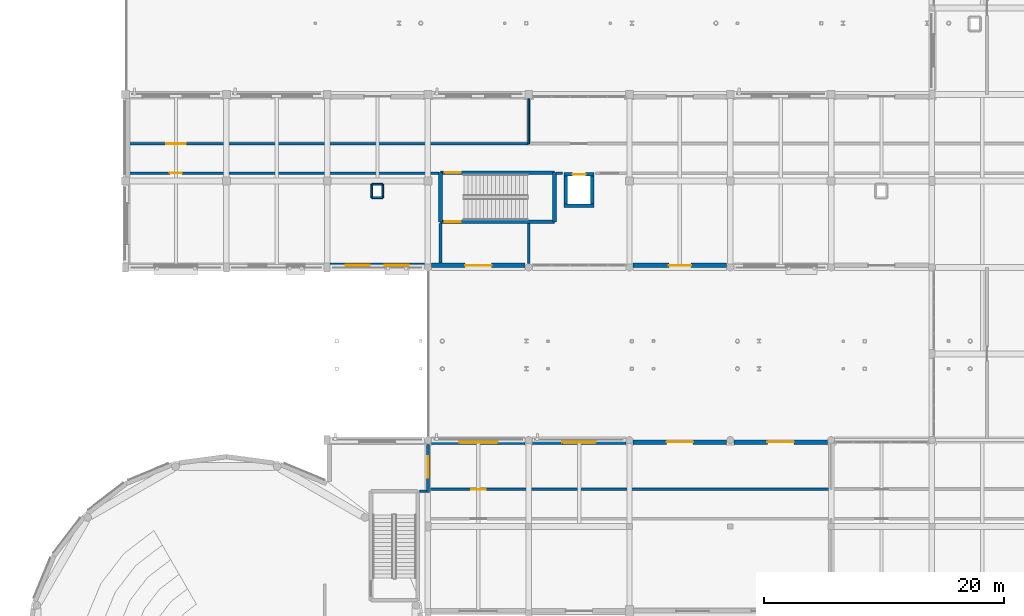
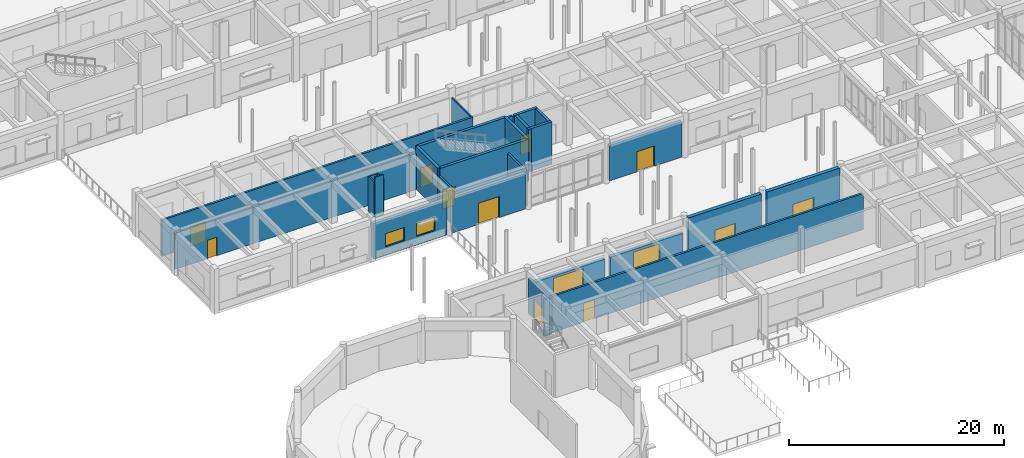
# One storey, part 73 of 121: 28 walls, 11 doors, 4 windows, 15 openings.
"""IFC4 building model written with IfcOpenShell, lengths in metres."""

from ifc_helpers import new_model, si_unit, direction, frame, frame_2d, origin, place, context, subcontext, project, spatial, rectangle, extrude, material, layer, layer_set, type_object, element, fill, save


model = new_model("IFC4")

# Units and contexts
model_context = context("Model", 3, precision=1e-05, world=origin(), true_north=direction((0.0, 1.0)))
body_context = subcontext(model_context, "Body", "Model", "MODEL_VIEW")
ifc_project = project(units=[si_unit("LENGTHUNIT", "METRE"), si_unit("AREAUNIT", "SQUARE_METRE"), si_unit("VOLUMEUNIT", "CUBIC_METRE"), si_unit("PLANEANGLEUNIT", "RADIAN"), si_unit("MASSUNIT", "GRAM", prefix="KILO")], contexts=[model_context])

# Site, building, storey
site_placement = place(None, origin())
site = spatial("IfcSite", under=ifc_project, at=site_placement, CompositionType="ELEMENT")
building_placement = place(site_placement, origin())
building = spatial("IfcBuilding", under=site, at=building_placement, Name="Malvenik Polytechnic", CompositionType="ELEMENT")
storey_placement = place(building_placement, origin())
storey = spatial("IfcBuildingStorey", under=building, at=storey_placement, Name="L00", CompositionType="ELEMENT", Elevation=0.0)

# Wall
ifc_material_1 = material(Name="Concrete C35/45", Category="concrete")
ifc_layer_1 = layer(ifc_material_1, 0.280029296875)
ifc_layer_set_1 = layer_set([ifc_layer_1], Name="Concrete C35/45")
wall_type_1 = type_object("IfcWallType", Name="ARC-CW-S280", PredefinedType="SHEAR", material=ifc_layer_set_1)
wall_1_placement = place(storey_placement, frame((47.43994140625, 55.550048828125, 0.0), z_axis=(0.0, 0.0, 1.0), x_axis=(-1.0, 0.0, 0.0)))
element("IfcWall", 1, at=wall_1_placement, inside=storey, type_object=wall_type_1, Name="Lift Shaft Shear Wall LP-03 L00 -Y", PredefinedType="SHEAR", context=body_context, shape_type="SweptSolid", body=[
    extrude(rectangle(XDim=2.47998046875, YDim=0.280029296875, at=frame_2d((1.239990234375, 0.0))), origin(), (0.0, 0.0, 1.0), 4.820068359375),
])

# Wall, opening, door
wall_2_placement = place(storey_placement, frame((44.9599609375, 58.14990234375, 0.0), z_axis=(0.0, 0.0, 1.0), x_axis=(1.0, 0.0, 0.0)))
wall_2 = element("IfcWall", 2, at=wall_2_placement, inside=storey, type_object=wall_type_1, Name="Lift Shaft Shear Wall LP-03 L00 +Y", PredefinedType="SHEAR", context=body_context, shape_type="SweptSolid", body=[
    extrude(rectangle(XDim=2.47998046875, YDim=0.280029296875, at=frame_2d((1.239990234375, 0.0))), origin(), (0.0, 0.0, 1.0), 4.820068359375),
])
opening_1_placement = place(wall_2_placement, frame((0.68994140625, 0.0, 0.0)))
opening_1 = element("IfcOpeningElement", 3, at=opening_1_placement, cuts=wall_2, Name="Opening LD-01", PredefinedType="OPENING", context=body_context, shape_type="SweptSolid", body=[
    extrude(rectangle(XDim=1.10009765625, YDim=2.14990234375, at=frame_2d((0.550048828125, 1.074951171875))), frame((0.0, 0.14990234375, 0.0), z_axis=(0.0, -1.0, 0.0), x_axis=(1.0, 0.0, 0.0)), (0.0, 0.0, 1.0), 0.300048828125),
])
ifc_material_2 = material(Name="Stainless steel fire-rated sliding lift landing door", Category="steel")
door_type_1 = type_object("IfcDoorType", Name="ARC-LDR-LD-01", OperationType="NOTDEFINED", PredefinedType="DOOR", material=ifc_material_2)
door_1_placement = place(opening_1_placement, origin())
door_1 = element("IfcDoor", 4, at=door_1_placement, inside=storey, type_object=door_type_1, Name="Lift Sliding Landing Door LP-03 L00", OperationType="DOUBLE_DOOR_SLIDING", OverallHeight=2.14990234375, OverallWidth=1.10009765625, PredefinedType="DOOR", context=body_context, shape_type="SweptSolid", body=[
    extrude(rectangle(XDim=1.10009765625, YDim=2.14990234375, at=frame_2d((0.550048828125, 1.074951171875))), frame((0.0, 0.02490234375, 0.0), z_axis=(0.0, -1.0, 0.0), x_axis=(1.0, 0.0, 0.0)), (0.0, 0.0, 1.0), 0.050048828125),
])
fill(opening_1, door_1)

# Walls
for number, where, z_axis, x_axis, name in (
    (5, (45.10009765625, 55.409912109375, 0.0), (0.0, 0.0, 1.0), (0.0, 1.0, 0.0), "Lift Shaft Shear Wall LP-03 L00 -X"),
    (6, (47.300048828125, 58.2900390625, 0.0), (0.0, 0.0, 1.0), (0.0, -1.0, 0.0), "Lift Shaft Shear Wall LP-03 L00 +X"),
):
    element("IfcWall", number, at=place(storey_placement, frame(where, z_axis=z_axis, x_axis=x_axis)), inside=storey, type_object=wall_type_1, Name=name, PredefinedType="SHEAR", context=body_context, shape_type="SweptSolid", body=[
        extrude(rectangle(XDim=2.880126953125, YDim=0.280029296875, at=frame_2d((1.43994140625, 0.0))), origin(), (0.0, 0.0, 1.0), 4.820068359375),
    ])
ifc_layer_2 = layer(ifc_material_1, 0.300048828125)
ifc_layer_set_2 = layer_set([ifc_layer_2], Name="Concrete C35/45")
wall_type_2 = type_object("IfcWallType", Name="ARC-CW-S300", PredefinedType="SHEAR", material=ifc_layer_set_2)
wall_3_placement = place(storey_placement, frame((34.64990234375, 54.199951171875, 0.0), z_axis=(0.0, 0.0, 1.0), x_axis=(0.0, 1.0, 0.0)))
element("IfcWall", 7, at=wall_3_placement, inside=storey, type_object=wall_type_2, Name="Stair Core Shear Wall ST-06 L00 NEAR", PredefinedType="SHEAR", context=body_context, shape_type="SweptSolid", body=[
    extrude(rectangle(XDim=4.10009765625, YDim=0.300048828125, at=frame_2d((2.050048828125, 0.0))), origin(), (0.0, 0.0, 1.0), 4.820068359375),
])

# Wall, opening, door
wall_4_placement = place(storey_placement, frame((34.64990234375, 58.300048828125, 0.0), z_axis=(0.0, 0.0, 1.0), x_axis=(1.0, 0.0, 0.0)))
wall_4 = element("IfcWall", 8, at=wall_4_placement, inside=storey, type_object=wall_type_2, Name="Stair Core Shear Wall ST-06 L00 RGHT", PredefinedType="SHEAR", context=body_context, shape_type="SweptSolid", body=[
    extrude(rectangle(XDim=9.5, YDim=0.300048828125, at=frame_2d((4.75, 0.0))), origin(), (0.0, 0.0, 1.0), 4.820068359375),
])
opening_2_placement = place(wall_4_placement, frame((0.35009765625, 0.0, 0.0)))
opening_2 = element("IfcOpeningElement", 9, at=opening_2_placement, cuts=wall_4, Name="Opening SD-01", PredefinedType="OPENING", context=body_context, shape_type="SweptSolid", body=[
    extrude(rectangle(XDim=1.35009765625, YDim=2.199951171875, at=frame_2d((0.675048828125, 1.10009765625))), frame((0.0, 0.16015625, 0.0), z_axis=(0.0, -1.0, 0.0), x_axis=(1.0, 0.0, 0.0)), (0.0, 0.0, 1.0), 0.320068359375),
])
ifc_material_3 = material(Name="Fire-rated steel stair enclosure door", Category="steel")
door_type_2 = type_object("IfcDoorType", Name="ARC-IDR-SD-01", OperationType="NOTDEFINED", PredefinedType="DOOR", material=ifc_material_3)
door_2_placement = place(opening_2_placement, origin())
door_2 = element("IfcDoor", 10, at=door_2_placement, inside=storey, type_object=door_type_2, Name="Fire Stair Door ST-06 L00", OperationType="SINGLE_SWING_RIGHT", OverallHeight=2.199951171875, OverallWidth=1.35009765625, PredefinedType="DOOR", context=body_context, shape_type="SweptSolid", body=[
    extrude(rectangle(XDim=1.35009765625, YDim=2.199951171875, at=frame_2d((0.675048828125, 1.10009765625))), frame((0.0, 0.02490234375, 0.0), z_axis=(0.0, -1.0, 0.0), x_axis=(1.0, 0.0, 0.0)), (0.0, 0.0, 1.0), 0.050048828125),
])
fill(opening_2, door_2)

# Wall
wall_5_placement = place(storey_placement, frame((44.14990234375, 58.300048828125, 0.0), z_axis=(0.0, 0.0, 1.0), x_axis=(0.0, -1.0, 0.0)))
element("IfcWall", 11, at=wall_5_placement, inside=storey, type_object=wall_type_2, Name="Stair Core Shear Wall ST-06 L00 FAR", PredefinedType="SHEAR", context=body_context, shape_type="SweptSolid", body=[
    extrude(rectangle(XDim=4.10009765625, YDim=0.300048828125, at=frame_2d((2.050048828125, 0.0))), origin(), (0.0, 0.0, 1.0), 4.820068359375),
])

# Wall, opening, door
wall_6_placement = place(storey_placement, frame((44.14990234375, 54.199951171875, 0.0), z_axis=(0.0, 0.0, 1.0), x_axis=(-1.0, 0.0, 0.0)))
wall_6 = element("IfcWall", 12, at=wall_6_placement, inside=storey, type_object=wall_type_2, Name="Stair Core Shear Wall ST-06 L00 LEFT", PredefinedType="SHEAR", context=body_context, shape_type="SweptSolid", body=[
    extrude(rectangle(XDim=9.5, YDim=0.300048828125, at=frame_2d((4.75, 0.0))), origin(), (0.0, 0.0, 1.0), 4.820068359375),
])
opening_3_placement = place(wall_6_placement, frame((7.800048828125, 0.0, 0.0)))
opening_3 = element("IfcOpeningElement", 13, at=opening_3_placement, cuts=wall_6, Name="Opening SD-01", PredefinedType="OPENING", context=body_context, shape_type="SweptSolid", body=[
    extrude(rectangle(XDim=1.35009765625, YDim=2.199951171875, at=frame_2d((0.675048828125, 1.10009765625))), frame((0.0, 0.16015625, 0.0), z_axis=(0.0, -1.0, 0.0), x_axis=(1.0, 0.0, 0.0)), (0.0, 0.0, 1.0), 0.320068359375),
])
door_3_placement = place(opening_3_placement, origin())
door_3 = element("IfcDoor", 14, at=door_3_placement, inside=storey, type_object=door_type_2, Name="Fire Stair Exit Discharge Door ST-06 L00", OperationType="SINGLE_SWING_LEFT", OverallHeight=2.199951171875, OverallWidth=1.35009765625, PredefinedType="DOOR", context=body_context, shape_type="SweptSolid", body=[
    extrude(rectangle(XDim=1.35009765625, YDim=2.199951171875, at=frame_2d((0.675048828125, 1.10009765625))), frame((0.0, 0.02490234375, 0.0), z_axis=(0.0, -1.0, 0.0), x_axis=(1.0, 0.0, 0.0)), (0.0, 0.0, 1.0), 0.050048828125),
])
fill(opening_3, door_3)

# Wall, opening, window
ifc_material_4 = material(Name="Concrete C30/37", Category="concrete")
ifc_layer_3 = layer(ifc_material_4, 0.3798828125)
ifc_layer_set_3 = layer_set([ifc_layer_3], Name="Concrete C30/37")
wall_type_3 = type_object("IfcWallType", Name="ARC-EW-380", PredefinedType="SOLIDWALL", material=ifc_layer_set_3)
wall_7_placement = place(storey_placement, frame((33.89794921875, 35.830078125, 0.0), z_axis=(0.0, 0.0, 1.0), x_axis=(1.0, 0.0, 0.0)))
wall_7 = element("IfcWall", 15, at=wall_7_placement, inside=storey, type_object=wall_type_3, Name="External Facade Wall EW-01 L00 #32", PredefinedType="SOLIDWALL", context=body_context, shape_type="SweptSolid", body=[
    extrude(rectangle(XDim=7.803955078125, YDim=0.3798828125, at=frame_2d((3.90185546875, 0.0))), origin(), (0.0, 0.0, 1.0), 3.239990234375),
])
opening_4_placement = place(wall_7_placement, frame((2.302001953125, 0.0, 0.949951171875)))
opening_4 = element("IfcOpeningElement", 16, at=opening_4_placement, cuts=wall_7, Name="Opening W-09", PredefinedType="OPENING", context=body_context, shape_type="SweptSolid", body=[
    extrude(rectangle(XDim=3.199951171875, YDim=2.0400390625, at=frame_2d((1.60009765625, 1.02001953125))), frame((0.0, 0.199951171875, 0.0), z_axis=(0.0, -1.0, 0.0), x_axis=(1.0, 0.0, 0.0)), (0.0, 0.0, 1.0), 0.39990234375),
])
ifc_material_5 = material(Name="Thermally broken aluminium frame with low-E double glazing", Category="aluminium")
window_type_1 = type_object("IfcWindowType", Name="ARC-WIN-W-09", PartitioningType="SINGLE_PANEL", PredefinedType="WINDOW", material=ifc_material_5)
window_1_placement = place(opening_4_placement, origin())
window_1 = element("IfcWindow", 17, at=window_1_placement, inside=storey, type_object=window_type_1, Name="Punched Window W-09 L00 #3", OverallHeight=2.0400390625, OverallWidth=3.199951171875, PartitioningType="SINGLE_PANEL", PredefinedType="WINDOW", context=body_context, shape_type="SweptSolid", body=[
    extrude(rectangle(XDim=3.199951171875, YDim=2.0400390625, at=frame_2d((1.60009765625, 1.02001953125))), frame((0.0, 0.030029296875, 0.0), z_axis=(0.0, -1.0, 0.0), x_axis=(1.0, 0.0, 0.0)), (0.0, 0.0, 1.0), 0.06005859375),
])
fill(opening_4, window_1)

wall_8_placement = place(storey_placement, frame((42.298095703125, 35.830078125, 0.0), z_axis=(0.0, 0.0, 1.0), x_axis=(1.0, 0.0, 0.0)))
wall_8 = element("IfcWall", 18, at=wall_8_placement, inside=storey, type_object=wall_type_3, Name="External Facade Wall EW-01 L00 #33", PredefinedType="SOLIDWALL", context=body_context, shape_type="SweptSolid", body=[
    extrude(rectangle(XDim=7.803955078125, YDim=0.3798828125, at=frame_2d((3.90185546875, 0.0))), origin(), (0.0, 0.0, 1.0), 3.239990234375),
])
opening_5_placement = place(wall_8_placement, frame((2.501953125, 0.0, 0.949951171875)))
opening_5 = element("IfcOpeningElement", 19, at=opening_5_placement, cuts=wall_8, Name="Opening W-10", PredefinedType="OPENING", context=body_context, shape_type="SweptSolid", body=[
    extrude(rectangle(XDim=2.800048828125, YDim=2.0, at=frame_2d((1.39990234375, 1.0))), frame((0.0, 0.199951171875, 0.0), z_axis=(0.0, -1.0, 0.0), x_axis=(1.0, 0.0, 0.0)), (0.0, 0.0, 1.0), 0.39990234375),
])
window_type_2 = type_object("IfcWindowType", Name="ARC-WIN-W-10", PartitioningType="SINGLE_PANEL", PredefinedType="WINDOW", material=ifc_material_5)
window_2_placement = place(opening_5_placement, origin())
window_2 = element("IfcWindow", 20, at=window_2_placement, inside=storey, type_object=window_type_2, Name="Punched Window W-10 L00 #4", OverallHeight=2.0, OverallWidth=2.800048828125, PartitioningType="SINGLE_PANEL", PredefinedType="WINDOW", context=body_context, shape_type="SweptSolid", body=[
    extrude(rectangle(XDim=2.800048828125, YDim=2.0, at=frame_2d((1.39990234375, 1.0))), frame((0.0, 0.030029296875, 0.0), z_axis=(0.0, -1.0, 0.0), x_axis=(1.0, 0.0, 0.0)), (0.0, 0.0, 1.0), 0.06005859375),
])
fill(opening_5, window_2)

# Wall, opening, door
wall_9_placement = place(storey_placement, frame((50.697998046875, 35.830078125, 0.0), z_axis=(0.0, 0.0, 1.0), x_axis=(1.0, 0.0, 0.0)))
wall_9 = element("IfcWall", 21, at=wall_9_placement, inside=storey, type_object=wall_type_3, Name="External Facade Wall EW-01 L00 #34", PredefinedType="SOLIDWALL", context=body_context, shape_type="SweptSolid", body=[
    extrude(rectangle(XDim=7.803955078125, YDim=0.3798828125, at=frame_2d((3.90185546875, 0.0))), origin(), (0.0, 0.0, 1.0), 4.760009765625),
])
opening_6_placement = place(wall_9_placement, frame((2.802001953125, 0.0, 0.0)))
opening_6 = element("IfcOpeningElement", 22, at=opening_6_placement, cuts=wall_9, Name="Opening ED-02", PredefinedType="OPENING", context=body_context, shape_type="SweptSolid", body=[
    extrude(rectangle(XDim=2.199951171875, YDim=2.39990234375, at=frame_2d((1.10009765625, 1.199951171875))), frame((0.0, 0.199951171875, 0.0), z_axis=(0.0, -1.0, 0.0), x_axis=(1.0, 0.0, 0.0)), (0.0, 0.0, 1.0), 0.39990234375),
])
ifc_material_6 = material(Name="Thermally broken glazed aluminium entrance door", Category="aluminium")
door_type_3 = type_object("IfcDoorType", Name="ARC-EDR-ED-02", OperationType="NOTDEFINED", PredefinedType="DOOR", material=ifc_material_6)
door_4_placement = place(opening_6_placement, origin())
door_4 = element("IfcDoor", 23, at=door_4_placement, inside=storey, type_object=door_type_3, Name="External Door ED-02 L00 #3", OperationType="DOUBLE_DOOR_SINGLE_SWING", OverallHeight=2.39990234375, OverallWidth=2.199951171875, PredefinedType="DOOR", context=body_context, shape_type="SweptSolid", body=[
    extrude(rectangle(XDim=2.199951171875, YDim=2.39990234375, at=frame_2d((1.10009765625, 1.199951171875))), frame((0.0, 0.02490234375, 0.0), z_axis=(0.0, -1.0, 0.0), x_axis=(1.0, 0.0, 0.0)), (0.0, 0.0, 1.0), 0.050048828125),
])
fill(opening_6, door_4)

wall_10_placement = place(storey_placement, frame((59.097900390625, 35.830078125, 0.0), z_axis=(0.0, 0.0, 1.0), x_axis=(1.0, 0.0, 0.0)))
wall_10 = element("IfcWall", 24, at=wall_10_placement, inside=storey, type_object=wall_type_3, Name="External Facade Wall EW-01 L00 #35", PredefinedType="SOLIDWALL", context=body_context, shape_type="SweptSolid", body=[
    extrude(rectangle(XDim=7.80419921875, YDim=0.3798828125, at=frame_2d((3.902099609375, 0.0))), origin(), (0.0, 0.0, 1.0), 4.760009765625),
])
opening_7_placement = place(wall_10_placement, frame((2.802001953125, 0.0, 0.0)))
opening_7 = element("IfcOpeningElement", 25, at=opening_7_placement, cuts=wall_10, Name="Opening ED-02", PredefinedType="OPENING", context=body_context, shape_type="SweptSolid", body=[
    extrude(rectangle(XDim=2.199951171875, YDim=2.39990234375, at=frame_2d((1.10009765625, 1.199951171875))), frame((0.0, 0.199951171875, 0.0), z_axis=(0.0, -1.0, 0.0), x_axis=(1.0, 0.0, 0.0)), (0.0, 0.0, 1.0), 0.39990234375),
])
door_5_placement = place(opening_7_placement, origin())
door_5 = element("IfcDoor", 26, at=door_5_placement, inside=storey, type_object=door_type_3, Name="External Door ED-02 L00 #4", OperationType="DOUBLE_DOOR_SINGLE_SWING", OverallHeight=2.39990234375, OverallWidth=2.199951171875, PredefinedType="DOOR", context=body_context, shape_type="SweptSolid", body=[
    extrude(rectangle(XDim=2.199951171875, YDim=2.39990234375, at=frame_2d((1.10009765625, 1.199951171875))), frame((0.0, 0.02490234375, 0.0), z_axis=(0.0, -1.0, 0.0), x_axis=(1.0, 0.0, 0.0)), (0.0, 0.0, 1.0), 0.050048828125),
])
fill(opening_7, door_5)

wall_11_placement = place(storey_placement, frame((58.501953125, 50.570068359375, 0.0), z_axis=(0.0, 0.0, 1.0), x_axis=(-1.0, 0.0, 0.0)))
wall_11 = element("IfcWall", 27, at=wall_11_placement, inside=storey, type_object=wall_type_3, Name="External Facade Wall EW-01 L00 #38", PredefinedType="SOLIDWALL", context=body_context, shape_type="SweptSolid", body=[
    extrude(rectangle(XDim=7.803955078125, YDim=0.3798828125, at=frame_2d((3.90185546875, 0.0))), origin(), (0.0, 0.0, 1.0), 4.010009765625),
])
opening_8_placement = place(wall_11_placement, frame((2.97705078125, 0.0, 0.0)))
opening_8 = element("IfcOpeningElement", 28, at=opening_8_placement, cuts=wall_11, Name="Opening ED-03", PredefinedType="OPENING", context=body_context, shape_type="SweptSolid", body=[
    extrude(rectangle(XDim=1.85009765625, YDim=2.300048828125, at=frame_2d((0.925048828125, 1.14990234375))), frame((0.0, 0.199951171875, 0.0), z_axis=(0.0, -1.0, 0.0), x_axis=(1.0, 0.0, 0.0)), (0.0, 0.0, 1.0), 0.39990234375),
])
ifc_material_7 = material(Name="Powder-coated steel emergency exit double door", Category="steel")
door_type_4 = type_object("IfcDoorType", Name="ARC-EDR-ED-03", OperationType="NOTDEFINED", PredefinedType="DOOR", material=ifc_material_7)
door_6_placement = place(opening_8_placement, origin())
door_6 = element("IfcDoor", 29, at=door_6_placement, inside=storey, type_object=door_type_4, Name="External Door ED-03 L00 #6", OperationType="DOUBLE_DOOR_SINGLE_SWING", OverallHeight=2.300048828125, OverallWidth=1.85009765625, PredefinedType="DOOR", context=body_context, shape_type="SweptSolid", body=[
    extrude(rectangle(XDim=1.85009765625, YDim=2.300048828125, at=frame_2d((0.925048828125, 1.14990234375))), frame((0.0, 0.02490234375, 0.0), z_axis=(0.0, -1.0, 0.0), x_axis=(1.0, 0.0, 0.0)), (0.0, 0.0, 1.0), 0.050048828125),
])
fill(opening_8, door_6)

wall_12_placement = place(storey_placement, frame((41.701904296875, 50.570068359375, 0.0), z_axis=(0.0, 0.0, 1.0), x_axis=(-1.0, 0.0, 0.0)))
wall_12 = element("IfcWall", 30, at=wall_12_placement, inside=storey, type_object=wall_type_3, Name="External Facade Wall EW-01 L00 #39", PredefinedType="SOLIDWALL", context=body_context, shape_type="SweptSolid", body=[
    extrude(rectangle(XDim=7.803955078125, YDim=0.3798828125, at=frame_2d((3.90185546875, 0.0))), origin(), (0.0, 0.0, 1.0), 4.010009765625),
])
opening_9_placement = place(wall_12_placement, frame((2.802001953125, 0.0, 0.0)))
opening_9 = element("IfcOpeningElement", 31, at=opening_9_placement, cuts=wall_12, Name="Opening ED-02", PredefinedType="OPENING", context=body_context, shape_type="SweptSolid", body=[
    extrude(rectangle(XDim=2.199951171875, YDim=2.39990234375, at=frame_2d((1.10009765625, 1.199951171875))), frame((0.0, 0.199951171875, 0.0), z_axis=(0.0, -1.0, 0.0), x_axis=(1.0, 0.0, 0.0)), (0.0, 0.0, 1.0), 0.39990234375),
])
door_7_placement = place(opening_9_placement, origin())
door_7 = element("IfcDoor", 32, at=door_7_placement, inside=storey, type_object=door_type_3, Name="External Door ED-02 L00 #7", OperationType="DOUBLE_DOOR_SINGLE_SWING", OverallHeight=2.39990234375, OverallWidth=2.199951171875, PredefinedType="DOOR", context=body_context, shape_type="SweptSolid", body=[
    extrude(rectangle(XDim=2.199951171875, YDim=2.39990234375, at=frame_2d((1.10009765625, 1.199951171875))), frame((0.0, 0.02490234375, 0.0), z_axis=(0.0, -1.0, 0.0), x_axis=(1.0, 0.0, 0.0)), (0.0, 0.0, 1.0), 0.050048828125),
])
fill(opening_9, door_7)

# Wall, openings, windows
wall_13_placement = place(storey_placement, frame((33.302001953125, 50.570068359375, 0.0), z_axis=(0.0, 0.0, 1.0), x_axis=(-1.0, 0.0, 0.0)))
wall_13 = element("IfcWall", 33, at=wall_13_placement, inside=storey, type_object=wall_type_3, Name="External Facade Wall EW-01 L00 #40", PredefinedType="SOLIDWALL", context=body_context, shape_type="SweptSolid", body=[
    extrude(rectangle(XDim=7.85400390625, YDim=0.3798828125, at=frame_2d((3.927001953125, 0.0))), origin(), (0.0, 0.0, 1.0), 4.010009765625),
])
opening_10_placement = place(wall_13_placement, frame((1.28466796875, 0.0, 0.949951171875)))
opening_10 = element("IfcOpeningElement", 34, at=opening_10_placement, cuts=wall_13, Name="Opening W-13", PredefinedType="OPENING", context=body_context, shape_type="SweptSolid", body=[
    extrude(rectangle(XDim=2.0, YDim=1.5, at=frame_2d((1.0, 0.75))), frame((0.0, 0.199951171875, 0.0), z_axis=(0.0, -1.0, 0.0), x_axis=(1.0, 0.0, 0.0)), (0.0, 0.0, 1.0), 0.39990234375),
])
opening_11_placement = place(wall_13_placement, frame((4.5693359375, 0.0, 0.949951171875)))
opening_11 = element("IfcOpeningElement", 35, at=opening_11_placement, cuts=wall_13, Name="Opening W-13", PredefinedType="OPENING", context=body_context, shape_type="SweptSolid", body=[
    extrude(rectangle(XDim=2.0, YDim=1.5, at=frame_2d((1.0, 0.75))), frame((0.0, 0.199951171875, 0.0), z_axis=(0.0, -1.0, 0.0), x_axis=(1.0, 0.0, 0.0)), (0.0, 0.0, 1.0), 0.39990234375),
])
window_type_3 = type_object("IfcWindowType", Name="ARC-WIN-W-13", PartitioningType="SINGLE_PANEL", PredefinedType="WINDOW", material=ifc_material_5)
window_3_placement = place(opening_10_placement, origin())
window_3 = element("IfcWindow", 36, at=window_3_placement, inside=storey, type_object=window_type_3, Name="Punched Window W-13 L00 #7", OverallHeight=1.5, OverallWidth=2.0, PartitioningType="SINGLE_PANEL", PredefinedType="WINDOW", context=body_context, shape_type="SweptSolid", body=[
    extrude(rectangle(XDim=2.0, YDim=1.5, at=frame_2d((1.0, 0.75))), frame((0.0, 0.030029296875, 0.0), z_axis=(0.0, -1.0, 0.0), x_axis=(1.0, 0.0, 0.0)), (0.0, 0.0, 1.0), 0.06005859375),
])
fill(opening_10, window_3)
window_4_placement = place(opening_11_placement, origin())
window_4 = element("IfcWindow", 37, at=window_4_placement, inside=storey, type_object=window_type_3, Name="Punched Window W-13 L00 #8", OverallHeight=1.5, OverallWidth=2.0, PartitioningType="SINGLE_PANEL", PredefinedType="WINDOW", context=body_context, shape_type="SweptSolid", body=[
    extrude(rectangle(XDim=2.0, YDim=1.5, at=frame_2d((1.0, 0.75))), frame((0.0, 0.030029296875, 0.0), z_axis=(0.0, -1.0, 0.0), x_axis=(1.0, 0.0, 0.0)), (0.0, 0.0, 1.0), 0.06005859375),
])
fill(opening_11, window_4)

# Wall, opening, door
ifc_material_8 = material(Name="Autoclaved aerated concrete blockwork 220mm", Category="masonry")
ifc_layer_4 = layer(ifc_material_8, 0.219970703125)
ifc_layer_set_4 = layer_set([ifc_layer_4], Name="Autoclaved aerated concrete blockwork 220mm")
wall_type_4 = type_object("IfcWallType", Name="ARC-FW-220", PredefinedType="SOLIDWALL", material=ifc_layer_set_4)
wall_14_placement = place(storey_placement, frame((8.6201171875, 60.699951171875, 0.0), z_axis=(0.0, 0.0, 1.0), x_axis=(1.0, 0.0, 0.0)))
wall_14 = element("IfcWall", 38, at=wall_14_placement, inside=storey, type_object=wall_type_4, Name="Interior Partition FW-01 L00 #89", PredefinedType="SOLIDWALL", context=body_context, shape_type="SweptSolid", body=[
    extrude(rectangle(XDim=33.3798828125, YDim=0.219970703125, at=frame_2d((16.68994140625, 0.0))), origin(), (0.0, 0.0, 1.0), 4.10498046875),
])
opening_12_placement = place(wall_14_placement, frame((3.155029296875, 0.0, 0.0)))
opening_12 = element("IfcOpeningElement", 39, at=opening_12_placement, cuts=wall_14, Name="Opening FD-03", PredefinedType="OPENING", context=body_context, shape_type="SweptSolid", body=[
    extrude(rectangle(XDim=1.64990234375, YDim=2.199951171875, at=frame_2d((0.824951171875, 1.10009765625))), frame((0.0, 0.1201171875, 0.0), z_axis=(0.0, -1.0, 0.0), x_axis=(1.0, 0.0, 0.0)), (0.0, 0.0, 1.0), 0.239990234375),
])
ifc_material_9 = material(Name="Fire-rated double-leaf laboratory door", Category="steel")
door_type_5 = type_object("IfcDoorType", Name="ARC-IDR-FD-03", OperationType="NOTDEFINED", PredefinedType="DOOR", material=ifc_material_9)
door_8_placement = place(opening_12_placement, origin())
door_8 = element("IfcDoor", 40, at=door_8_placement, inside=storey, type_object=door_type_5, Name="Interior Door FD-03 L00 #41", OperationType="DOUBLE_DOOR_SINGLE_SWING", OverallHeight=2.199951171875, OverallWidth=1.64990234375, PredefinedType="DOOR", context=body_context, shape_type="SweptSolid", body=[
    extrude(rectangle(XDim=1.64990234375, YDim=2.199951171875, at=frame_2d((0.824951171875, 1.10009765625))), frame((0.0, 0.02490234375, 0.0), z_axis=(0.0, -1.0, 0.0), x_axis=(1.0, 0.0, 0.0)), (0.0, 0.0, 1.0), 0.050048828125),
])
fill(opening_12, door_8)

wall_15_placement = place(storey_placement, frame((34.510009765625, 58.25, 0.0), z_axis=(0.0, 0.0, 1.0), x_axis=(-1.0, 0.0, 0.0)))
wall_15 = element("IfcWall", 41, at=wall_15_placement, inside=storey, type_object=wall_type_4, Name="Interior Partition FW-01 L00 #94", PredefinedType="SOLIDWALL", context=body_context, shape_type="SweptSolid", body=[
    extrude(rectangle(XDim=25.889892578125, YDim=0.219970703125, at=frame_2d((12.94482421875, 0.0))), origin(), (0.0, 0.0, 1.0), 4.10498046875),
])
opening_13_placement = place(wall_15_placement, frame((21.409912109375, 0.0, 0.0)))
opening_13 = element("IfcOpeningElement", 42, at=opening_13_placement, cuts=wall_15, Name="Opening FD-07", PredefinedType="OPENING", context=body_context, shape_type="SweptSolid", body=[
    extrude(rectangle(XDim=1.0, YDim=2.10009765625, at=frame_2d((0.5, 1.050048828125))), frame((0.0, 0.1201171875, 0.0), z_axis=(0.0, -1.0, 0.0), x_axis=(1.0, 0.0, 0.0)), (0.0, 0.0, 1.0), 0.239990234375),
])
ifc_material_10 = material(Name="Fire-rated washroom corridor door", Category="steel")
door_type_6 = type_object("IfcDoorType", Name="ARC-IDR-FD-07", OperationType="NOTDEFINED", PredefinedType="DOOR", material=ifc_material_10)
door_9_placement = place(opening_13_placement, origin())
door_9 = element("IfcDoor", 43, at=door_9_placement, inside=storey, type_object=door_type_6, Name="Interior Door FD-07 L00 #44", OperationType="SINGLE_SWING_RIGHT", OverallHeight=2.10009765625, OverallWidth=1.0, PredefinedType="DOOR", context=body_context, shape_type="SweptSolid", body=[
    extrude(rectangle(XDim=1.0, YDim=2.10009765625, at=frame_2d((0.5, 1.050048828125))), frame((0.0, 0.02490234375, 0.0), z_axis=(0.0, -1.0, 0.0), x_axis=(1.0, 0.0, 0.0)), (0.0, 0.0, 1.0), 0.050048828125),
])
fill(opening_13, door_9)

# Walls
wall_16_placement = place(storey_placement, frame((42.0, 50.719970703125, 0.0), z_axis=(0.0, 0.0, 1.0), x_axis=(0.0, 1.0, 0.0)))
element("IfcWall", 44, at=wall_16_placement, inside=storey, type_object=wall_type_4, Name="Interior Partition FW-01 L00 #95", PredefinedType="SOLIDWALL", context=body_context, shape_type="SweptSolid", body=[
    extrude(rectangle(XDim=3.340087890625, YDim=0.219970703125, at=frame_2d((1.669921875, 0.0))), origin(), (0.0, 0.0, 1.0), 4.0048828125),
])
wall_17_placement = place(storey_placement, frame((44.830078125, 58.25, 0.0), z_axis=(0.0, 0.0, 1.0), x_axis=(-1.0, 0.0, 0.0)))
element("IfcWall", 45, at=wall_17_placement, inside=storey, type_object=wall_type_4, Name="Interior Partition FW-01 L00 #97", PredefinedType="SOLIDWALL", context=body_context, shape_type="SweptSolid", body=[
    extrude(rectangle(XDim=0.5400390625, YDim=0.219970703125, at=frame_2d((0.27001953125, 0.0))), origin(), (0.0, 0.0, 1.0), 4.75),
])

# Wall, opening, door
wall_18_placement = place(storey_placement, frame((33.60009765625, 31.89990234375, 0.0), z_axis=(0.0, 0.0, 1.0), x_axis=(1.0, 0.0, 0.0)))
wall_18 = element("IfcWall", 46, at=wall_18_placement, inside=storey, type_object=wall_type_4, Name="Interior Partition FW-01 L00 #102", PredefinedType="SOLIDWALL", context=body_context, shape_type="SweptSolid", body=[
    extrude(rectangle(XDim=33.599853515625, YDim=0.219970703125, at=frame_2d((16.7998046875, 0.0))), origin(), (0.0, 0.0, 1.0), 4.10498046875),
])
opening_14_placement = place(wall_18_placement, frame((3.60009765625, 0.0, 0.0)))
opening_14 = element("IfcOpeningElement", 47, at=opening_14_placement, cuts=wall_18, Name="Opening FD-10", PredefinedType="OPENING", context=body_context, shape_type="SweptSolid", body=[
    extrude(rectangle(XDim=1.199951171875, YDim=2.14990234375, at=frame_2d((0.60009765625, 1.074951171875))), frame((0.0, 0.1201171875, 0.0), z_axis=(0.0, -1.0, 0.0), x_axis=(1.0, 0.0, 0.0)), (0.0, 0.0, 1.0), 0.239990234375),
])
ifc_material_11 = material(Name="Fire-rated laboratory corridor door", Category="steel")
door_type_7 = type_object("IfcDoorType", Name="ARC-IDR-FD-10", OperationType="NOTDEFINED", PredefinedType="DOOR", material=ifc_material_11)
door_10_placement = place(opening_14_placement, origin())
door_10 = element("IfcDoor", 48, at=door_10_placement, inside=storey, type_object=door_type_7, Name="Interior Door FD-10 L00 #47", OperationType="SINGLE_SWING_RIGHT", OverallHeight=2.14990234375, OverallWidth=1.199951171875, PredefinedType="DOOR", context=body_context, shape_type="SweptSolid", body=[
    extrude(rectangle(XDim=1.199951171875, YDim=2.14990234375, at=frame_2d((0.60009765625, 1.074951171875))), frame((0.0, 0.02490234375, 0.0), z_axis=(0.0, -1.0, 0.0), x_axis=(1.0, 0.0, 0.0)), (0.0, 0.0, 1.0), 0.050048828125),
])
fill(opening_14, door_10)

# Wall
wall_19_placement = place(storey_placement, frame((34.64990234375, 50.760009765625, 0.0), z_axis=(0.0, 0.0, 1.0), x_axis=(0.0, 1.0, 0.0)))
element("IfcWall", 49, at=wall_19_placement, inside=storey, type_object=wall_type_4, Name="Exit Passage Fire Wall FW-01 L00 #6", PredefinedType="SOLIDWALL", context=body_context, shape_type="SweptSolid", body=[
    extrude(rectangle(XDim=3.2900390625, YDim=0.219970703125, at=frame_2d((1.64501953125, 0.0))), origin(), (0.0, 0.0, 1.0), 4.0048828125),
])

# Wall, opening, door
wall_20_placement = place(storey_placement, frame((33.60009765625, 31.639892578125, 0.0), z_axis=(0.0, 0.0, 1.0), x_axis=(0.0, 1.0, 0.0)))
wall_20 = element("IfcWall", 50, at=wall_20_placement, inside=storey, type_object=wall_type_4, Name="Exit Passage Fire Wall FW-01 L00 #11", PredefinedType="SOLIDWALL", context=body_context, shape_type="SweptSolid", body=[
    extrude(rectangle(XDim=4.0, YDim=0.219970703125, at=frame_2d((2.0, 0.0))), origin(), (0.0, 0.0, 1.0), 4.0048828125),
])
opening_15_placement = place(wall_20_placement, frame((1.2099609375, 0.0, 0.0)))
opening_15 = element("IfcOpeningElement", 51, at=opening_15_placement, cuts=wall_20, Name="Opening FD-02", PredefinedType="OPENING", context=body_context, shape_type="SweptSolid", body=[
    extrude(rectangle(XDim=1.800048828125, YDim=2.199951171875, at=frame_2d((0.89990234375, 1.10009765625))), frame((0.0, 0.1201171875, 0.0), z_axis=(0.0, -1.0, 0.0), x_axis=(1.0, 0.0, 0.0)), (0.0, 0.0, 1.0), 0.239990234375),
])
ifc_material_12 = material(Name="Fire-rated double-leaf corridor compartment door", Category="steel")
door_type_8 = type_object("IfcDoorType", Name="ARC-IDR-FD-02", OperationType="NOTDEFINED", PredefinedType="DOOR", material=ifc_material_12)
door_11_placement = place(opening_15_placement, origin())
door_11 = element("IfcDoor", 52, at=door_11_placement, inside=storey, type_object=door_type_8, Name="Rotunda Foyer Compartment Exit Door FD-02 L00", OperationType="DOUBLE_DOOR_SINGLE_SWING", OverallHeight=2.199951171875, OverallWidth=1.800048828125, PredefinedType="DOOR", context=body_context, shape_type="SweptSolid", body=[
    extrude(rectangle(XDim=1.800048828125, YDim=2.199951171875, at=frame_2d((0.89990234375, 1.10009765625))), frame((0.0, 0.02490234375, 0.0), z_axis=(0.0, -1.0, 0.0), x_axis=(1.0, 0.0, 0.0)), (0.0, 0.0, 1.0), 0.050048828125),
])
fill(opening_15, door_11)

# Walls
wall_21_placement = place(storey_placement, frame((32.89990234375, 31.75, 0.0), z_axis=(0.0, 0.0, 1.0), x_axis=(1.0, 0.0, 0.0)))
element("IfcWall", 53, at=wall_21_placement, inside=storey, type_object=wall_type_4, Name="Exit Passage Fire Wall FW-01 L00 #12", PredefinedType="SOLIDWALL", context=body_context, shape_type="SweptSolid", body=[
    extrude(rectangle(XDim=0.590087890625, YDim=0.219970703125, at=frame_2d((0.294921875, 0.0))), origin(), (0.0, 0.0, 1.0), 4.10498046875),
])
ifc_material_13 = material(Name="Acoustic metal-stud gypsum partition 140mm", Category="gypsum")
ifc_layer_5 = layer(ifc_material_13, 0.139892578125)
ifc_layer_set_5 = layer_set([ifc_layer_5], Name="Acoustic metal-stud gypsum partition 140mm")
wall_type_5 = type_object("IfcWallType", Name="ARC-PW-140", PredefinedType="PARTITIONING", material=ifc_layer_set_5)
wall_22_placement = place(storey_placement, frame((42.0, 60.699951171875, 0.0), z_axis=(0.0, 0.0, 1.0), x_axis=(0.0, 1.0, 0.0)))
element("IfcWall", 54, at=wall_22_placement, inside=storey, type_object=wall_type_5, Name="Interior Partition PW-02I L00 #90", PredefinedType="PARTITIONING", context=body_context, shape_type="SweptSolid", body=[
    extrude(rectangle(XDim=3.755126953125, YDim=0.139892578125, at=frame_2d((1.87744140625, 0.0))), origin(), (0.0, 0.0, 1.0), 4.0048828125),
])
ifc_material_14 = material(Name="Double-stud acoustic gypsum board partition 160mm", Category="gypsum")
ifc_layer_6 = layer(ifc_material_14, 0.159912109375)
ifc_layer_set_6 = layer_set([ifc_layer_6], Name="Double-stud acoustic gypsum board partition 160mm")
wall_type_6 = type_object("IfcWallType", Name="ARC-PW-160", PredefinedType="PARTITIONING", material=ifc_layer_set_6)
wall_23_placement = place(storey_placement, frame((28.919921875, 56.219970703125, 0.0), z_axis=(0.0, 0.0, 1.0), x_axis=(1.0, 0.0, 0.0)))
element("IfcWall", 55, at=wall_23_placement, inside=storey, type_object=wall_type_6, Name="Riser Shaft Enclosure L00 #7S", PredefinedType="PARTITIONING", context=body_context, shape_type="SweptSolid", body=[
    extrude(rectangle(XDim=0.91015625, YDim=0.159912109375, at=frame_2d((0.455078125, 0.0))), origin(), (0.0, 0.0, 1.0), 4.550048828125),
])
wall_24_placement = place(storey_placement, frame((29.830078125, 57.330078125, 0.0), z_axis=(0.0, 0.0, 1.0), x_axis=(-1.0, 0.0, 0.0)))
element("IfcWall", 56, at=wall_24_placement, inside=storey, type_object=wall_type_6, Name="Riser Shaft Enclosure L00 #7N", PredefinedType="PARTITIONING", context=body_context, shape_type="SweptSolid", body=[
    extrude(rectangle(XDim=0.91015625, YDim=0.159912109375, at=frame_2d((0.455078125, 0.0))), origin(), (0.0, 0.0, 1.0), 4.0048828125),
])
for number, where, z_axis, x_axis, name in (
    (57, (28.919921875, 57.330078125, 0.0), (0.0, 0.0, 1.0), (0.0, -1.0, 0.0), "Riser Shaft Enclosure L00 #7W"),
    (58, (29.830078125, 56.219970703125, 0.0), (0.0, 0.0, 1.0), (0.0, 1.0, 0.0), "Riser Shaft Enclosure L00 #7E"),
):
    element("IfcWall", number, at=place(storey_placement, frame(where, z_axis=z_axis, x_axis=x_axis)), inside=storey, type_object=wall_type_6, Name=name, PredefinedType="PARTITIONING", context=body_context, shape_type="SweptSolid", body=[
        extrude(rectangle(XDim=1.110107421875, YDim=0.159912109375, at=frame_2d((0.55517578125, 0.0))), origin(), (0.0, 0.0, 1.0), 4.0048828125),
    ])

save(model, "model.ifc")
